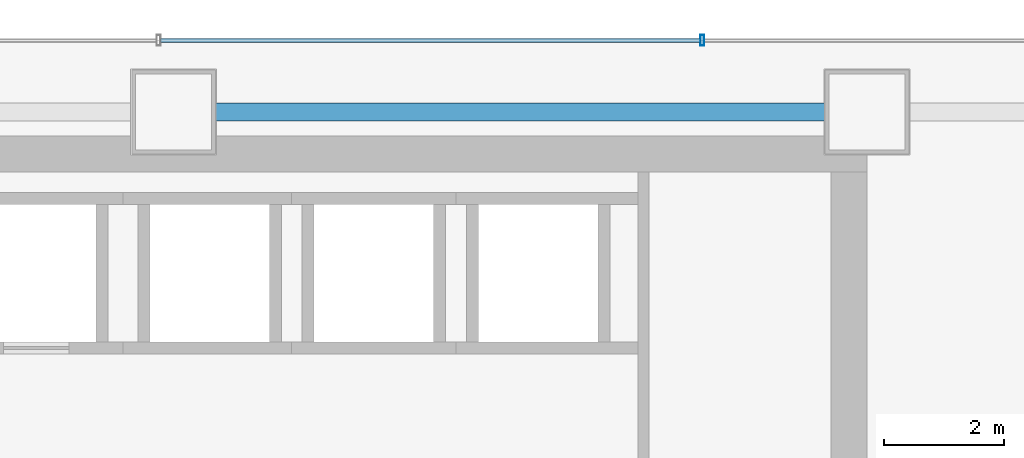
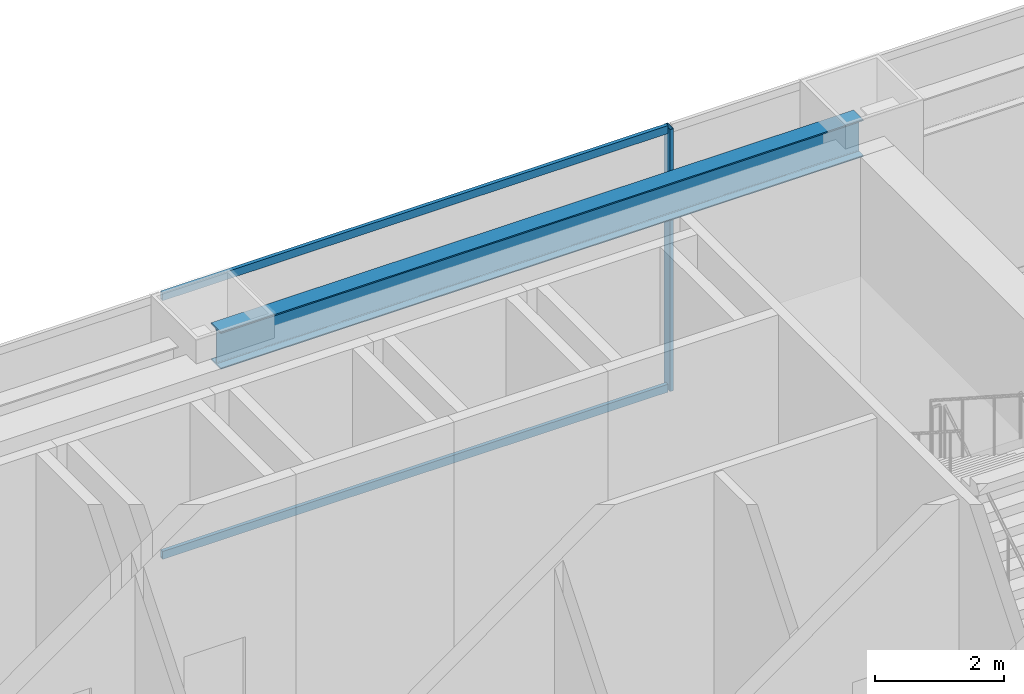
# One storey, part 34 of 42: 3 members, 1 beam, 1 element without a shape of its own.
"""IFC4 building model written with IfcOpenShell, lengths in metres."""

from ifc_helpers import new_model, si_unit, direction, frame, origin, origin_2d, place, context, subcontext, project, spatial, hollow_rectangle, i_section, extrude, material, material_profile, profile_set, type_object, element, aggregate, save


model = new_model("IFC4")

# Units and contexts
model_context = context("Model", 3, precision=1e-05, world=origin(), true_north=direction((0.0, 1.0)))
body_context = subcontext(model_context, "Body", "Model", "MODEL_VIEW")
ifc_project = project(units=[si_unit("LENGTHUNIT", "METRE"), si_unit("AREAUNIT", "SQUARE_METRE"), si_unit("VOLUMEUNIT", "CUBIC_METRE"), si_unit("PLANEANGLEUNIT", "RADIAN"), si_unit("MASSUNIT", "GRAM", prefix="KILO")], contexts=[model_context])

# Site, building, storey
site_placement = place(None, origin())
site = spatial("IfcSite", under=ifc_project, at=site_placement, CompositionType="ELEMENT")
building_placement = place(site_placement, origin())
building = spatial("IfcBuilding", under=site, at=building_placement, Name="Saevonmaru Cultural Tower", CompositionType="ELEMENT")
storey_placement = place(building_placement, frame((0.0, 0.0, 33.0)))
storey = spatial("IfcBuildingStorey", under=building, at=storey_placement, Name="L06", CompositionType="ELEMENT", Elevation=33.0)

# Beam
ifc_material_1 = material(Name="Steel SM355", Category="steel")
ifc_material_profile_1 = material_profile(ifc_material_1, i_section(OverallWidth=0.300048828125, OverallDepth=0.699951171875, WebThickness=0.012939453125, FlangeThickness=0.02392578125, FilletRadius=0.02587890625, at=origin_2d()), Name="H-700x300x13x24")
ifc_profile_set_1 = profile_set([ifc_material_profile_1], Name="Steel SM355")
beam_type = type_object("IfcBeamType", Name="BM-SP-H700", PredefinedType="SPANDREL", material=ifc_profile_set_1)
beam_placement = place(storey_placement, frame((34.860107421875, 54.800048828125, 4.60009765625), z_axis=(1.0, 0.0, 0.0), x_axis=(0.0, 1.0, 0.0)))
element("IfcBeam", 1, at=beam_placement, inside=storey, type_object=beam_type, Name="L06 North Spine Girder 4", PredefinedType="SPANDREL", context=body_context, shape_type="SweptSolid", body=[
    extrude(i_section(OverallWidth=0.300048828125, OverallDepth=0.699951171875, WebThickness=0.012939453125, FlangeThickness=0.02392578125, FilletRadius=0.02587890625, at=origin_2d()), origin(), (0.0, 0.0, 1.0), 11.47998046875),
])

# Curtain wall, members
ifc_material_2 = material(Name="Satin Bronze Anodised Aluminium", Category="aluminium")
curtain_wall_type = type_object("IfcCurtainWallType", Name="CW-SKY-GLZ", PredefinedType="NOTDEFINED", material=ifc_material_2)
curtain_wall_placement = place(storey_placement, origin())
curtain_wall = element("IfcCurtainWall", 2, at=curtain_wall_placement, inside=storey, type_object=curtain_wall_type, Name="L06 Unitised Curtain Wall E10", PredefinedType="NOTDEFINED")
ifc_material_profile_2 = material_profile(ifc_material_2, hollow_rectangle(XDim=0.06494140625, YDim=0.179931640625, WallThickness=0.00390625, at=origin_2d()), Name="ALU-MULL-180x65x4")
ifc_profile_set_2 = profile_set([ifc_material_profile_2], Name="Satin Bronze Anodised Aluminium")
member_type_1 = type_object("IfcMemberType", Name="ML-CW-180x65", PredefinedType="MULLION", material=ifc_profile_set_2)
member_1_placement = place(storey_placement, frame((43.64404296875, 56.0, 0.0), z_axis=(0.0, 0.0, 1.0), x_axis=(-1.0, 0.0, 0.0)))
member_1 = element("IfcMember", 3, at=member_1_placement, type_object=member_type_1, Name="CW-TW-L06-E10 mullion 2", PredefinedType="MULLION", context=body_context, shape_type="SweptSolid", body=[
    extrude(hollow_rectangle(XDim=0.06494140625, YDim=0.179931640625, WallThickness=0.00390625, at=origin_2d()), origin(), (0.0, 0.0, 1.0), 4.949951171875),
])
ifc_material_profile_3 = material_profile(ifc_material_2, hollow_rectangle(XDim=0.06494140625, YDim=0.14990234375, WallThickness=0.00390625, at=origin_2d()), Name="ALU-TRAN-150x65x4")
ifc_profile_set_3 = profile_set([ifc_material_profile_3], Name="Satin Bronze Anodised Aluminium")
member_type_2 = type_object("IfcMemberType", Name="TR-CW-150x65", PredefinedType="USERDEFINED", material=ifc_profile_set_3)
member_2_placement = place(storey_placement, frame((43.611572265625, 56.0, 0.032470703125), z_axis=(-1.0, 0.0, 0.0), x_axis=(0.0, -1.0, 0.0)))
member_2 = element("IfcMember", 4, at=member_2_placement, type_object=member_type_2, Name="CW-TW-L06-E10 transom 2.1", ObjectType="TRANSOM", PredefinedType="USERDEFINED", context=body_context, shape_type="SweptSolid", body=[
    extrude(hollow_rectangle(XDim=0.06494140625, YDim=0.14990234375, WallThickness=0.00390625, at=origin_2d()), origin(), (0.0, 0.0, 1.0), 9.031005859375),
])
member_3_placement = place(storey_placement, frame((43.611572265625, 56.0, 4.91748046875), z_axis=(-1.0, 0.0, 0.0), x_axis=(0.0, -1.0, 0.0)))
member_3 = element("IfcMember", 5, at=member_3_placement, type_object=member_type_2, Name="CW-TW-L06-E10 transom 2.2", ObjectType="TRANSOM", PredefinedType="USERDEFINED", context=body_context, shape_type="SweptSolid", body=[
    extrude(hollow_rectangle(XDim=0.06494140625, YDim=0.14990234375, WallThickness=0.00390625, at=origin_2d()), origin(), (0.0, 0.0, 1.0), 9.031005859375),
])
aggregate(curtain_wall, [member_1, member_2, member_3])

save(model, "model.ifc")
